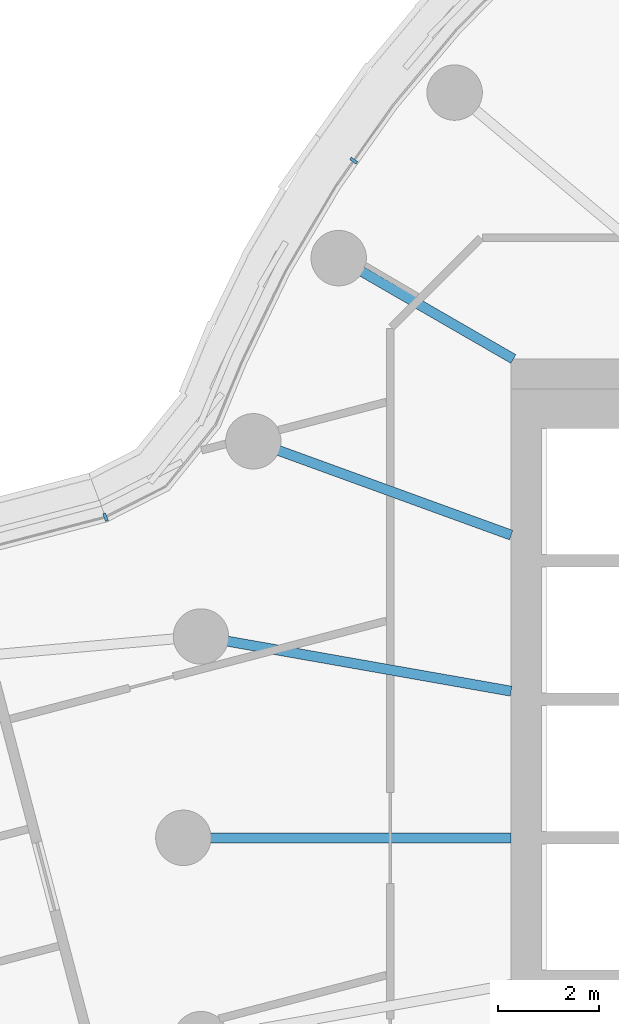
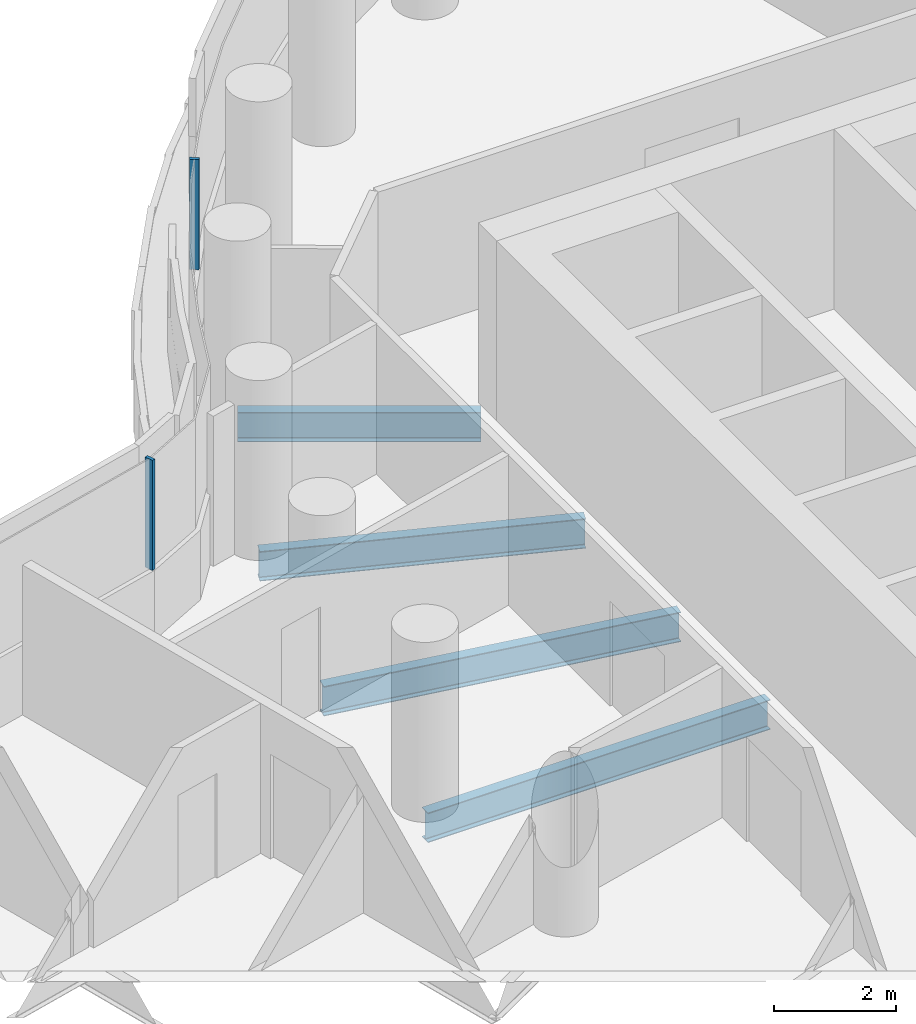
# One storey, part 7 of 30: 4 beams, 2 members, 2 elements without a shape of their own.
"""IFC4 building model written with IfcOpenShell, lengths in metres."""

from ifc_helpers import new_model, si_unit, direction, frame, origin, origin_2d, place, context, subcontext, project, spatial, rectangle, i_section, extrude, material, layer, layer_set, material_profile, profile_set, type_object, element, aggregate, save


model = new_model("IFC4")

# Units and contexts
model_context = context("Model", 3, precision=1e-05, world=origin(), true_north=direction((0.0, 1.0)))
body_context = subcontext(model_context, "Body", "Model", "MODEL_VIEW")
ifc_project = project(units=[si_unit("LENGTHUNIT", "METRE"), si_unit("AREAUNIT", "SQUARE_METRE"), si_unit("VOLUMEUNIT", "CUBIC_METRE"), si_unit("PLANEANGLEUNIT", "RADIAN"), si_unit("MASSUNIT", "GRAM", prefix="KILO")], contexts=[model_context])

# Site, building, storey
site_placement = place(None, origin())
site = spatial("IfcSite", under=ifc_project, at=site_placement, CompositionType="ELEMENT")
building_placement = place(site_placement, origin())
building = spatial("IfcBuilding", under=site, at=building_placement, Name="Tamarind Cross Interchange Tower", CompositionType="ELEMENT")
storey_placement = place(building_placement, frame((0.0, 0.0, 87.25)))
storey = spatial("IfcBuildingStorey", under=building, at=storey_placement, Name="L20", CompositionType="ELEMENT", Elevation=87.25)

# Beams
ifc_material_1 = material(Name="Steel Q355B", Category="steel")
ifc_material_profile_1 = material_profile(ifc_material_1, i_section(OverallWidth=0.198974609375, OverallDepth=0.595947265625, WebThickness=0.010009765625, FlangeThickness=0.014892578125, FilletRadius=0.012939453125, at=origin_2d()), Name="HN 596x199x10x15")
ifc_profile_set_1 = profile_set([ifc_material_profile_1], Name="Steel Q355B")
beam_type = type_object("IfcBeamType", Name="Composite beam HN 596x199x10x15 Q355B", PredefinedType="BEAM", material=ifc_profile_set_1)
beam_1_placement = place(storey_placement, frame((-19.918701171875, 11.5, -0.43798828125), z_axis=(0.866026010844, -0.49999894854, 0.0), x_axis=(0.49999894854, 0.866026010844, 0.0)))
element("IfcBeam", 1, at=beam_1_placement, inside=storey, type_object=beam_type, Name="Beam HH15", PredefinedType="BEAM", context=body_context, shape_type="SweptSolid", body=[
    extrude(i_section(OverallWidth=0.198974609375, OverallDepth=0.595947265625, WebThickness=0.010009765625, FlangeThickness=0.014892578125, FilletRadius=0.012939453125, at=origin_2d()), origin(), (0.0, 0.0, 1.0), 4.0),
])
beam_2_placement = place(storey_placement, frame((-21.613037109375, 7.866455078125, -0.43798828125), z_axis=(0.939701685589, -0.341995236956, 0.0), x_axis=(0.341995236956, 0.939701685589, 0.0)))
element("IfcBeam", 2, at=beam_2_placement, inside=storey, type_object=beam_type, Name="Beam HH16", PredefinedType="BEAM", context=body_context, shape_type="SweptSolid", body=[
    extrude(i_section(OverallWidth=0.198974609375, OverallDepth=0.595947265625, WebThickness=0.010009765625, FlangeThickness=0.014892578125, FilletRadius=0.012939453125, at=origin_2d()), origin(), (0.0, 0.0, 1.0), 5.441162109375),
])
beam_3_placement = place(storey_placement, frame((-22.650634765625, 3.993896484375, -0.43798828125), z_axis=(0.984809127561, -0.173640382036, 0.0), x_axis=(0.173640382036, 0.984809127561, 0.0)))
element("IfcBeam", 3, at=beam_3_placement, inside=storey, type_object=beam_type, Name="Beam HH17", PredefinedType="BEAM", context=body_context, shape_type="SweptSolid", body=[
    extrude(i_section(OverallWidth=0.198974609375, OverallDepth=0.595947265625, WebThickness=0.010009765625, FlangeThickness=0.014892578125, FilletRadius=0.012939453125, at=origin_2d()), origin(), (0.0, 0.0, 1.0), 6.24560546875),
])
beam_4_placement = place(storey_placement, frame((-23.0, 0.0, -0.43798828125), z_axis=(1.0, 0.0, 0.0), x_axis=(0.0, 1.0, 0.0)))
element("IfcBeam", 4, at=beam_4_placement, inside=storey, type_object=beam_type, Name="Beam HH18", PredefinedType="BEAM", context=body_context, shape_type="SweptSolid", body=[
    extrude(i_section(OverallWidth=0.198974609375, OverallDepth=0.595947265625, WebThickness=0.010009765625, FlangeThickness=0.014892578125, FilletRadius=0.012939453125, at=origin_2d()), origin(), (0.0, 0.0, 1.0), 6.5),
])

# Curtain wall, member
ifc_material_2 = material(Name="Aluminium 6063-T6", Category="aluminium")
ifc_layer = layer(ifc_material_2, 0.159912109375)
ifc_layer_set = layer_set([ifc_layer], Name="Aluminium 6063-T6")
curtain_wall_type = type_object("IfcCurtainWallType", Name="Office curtain wall, 9.0 m bays", PredefinedType="NOTDEFINED", material=ifc_layer_set)
curtain_wall_1_placement = place(storey_placement, origin())
curtain_wall_1 = element("IfcCurtainWall", 5, at=curtain_wall_1_placement, inside=storey, type_object=curtain_wall_type, Name="CWS-L20-02", PredefinedType="NOTDEFINED")
ifc_material_profile_2 = material_profile(ifc_material_2, rectangle(XDim=0.06005859375, YDim=0.159912109375, at=origin_2d()), Name="Mullion CW1")
ifc_profile_set_2 = profile_set([ifc_material_profile_2], Name="Aluminium 6063-T6")
member_type = type_object("IfcMemberType", Name="Mullion CW1", PredefinedType="MULLION", material=ifc_profile_set_2)
member_1_placement = place(storey_placement, frame((-19.62060546875, 13.4326171875, 1.39990234375), z_axis=(0.0, 0.0, 1.0), x_axis=(-0.577568978284, -0.816341886298, 0.0)))
member_1 = element("IfcMember", 6, at=member_1_placement, type_object=member_type, Name="CWM-L20-02-02", PredefinedType="MULLION", context=body_context, shape_type="SweptSolid", body=[
    extrude(rectangle(XDim=0.06005859375, YDim=0.159912109375, at=origin_2d()), origin(), (0.0, 0.0, 1.0), 2.210205078125),
])
aggregate(curtain_wall_1, [member_1])

curtain_wall_2_placement = place(storey_placement, origin())
curtain_wall_2 = element("IfcCurtainWall", 7, at=curtain_wall_2_placement, inside=storey, type_object=curtain_wall_type, Name="CWS-L20-03", PredefinedType="NOTDEFINED")
member_2_placement = place(storey_placement, frame((-24.545166015625, 6.363525390625, 1.39990234375), z_axis=(0.0, 0.0, 1.0), x_axis=(-0.935030868589, -0.354566319306, 0.0)))
member_2 = element("IfcMember", 8, at=member_2_placement, type_object=member_type, Name="CWM-L20-03-00", PredefinedType="MULLION", context=body_context, shape_type="SweptSolid", body=[
    extrude(rectangle(XDim=0.06005859375, YDim=0.159912109375, at=origin_2d()), origin(), (0.0, 0.0, 1.0), 2.210205078125),
])
aggregate(curtain_wall_2, [member_2])

save(model, "model.ifc")
